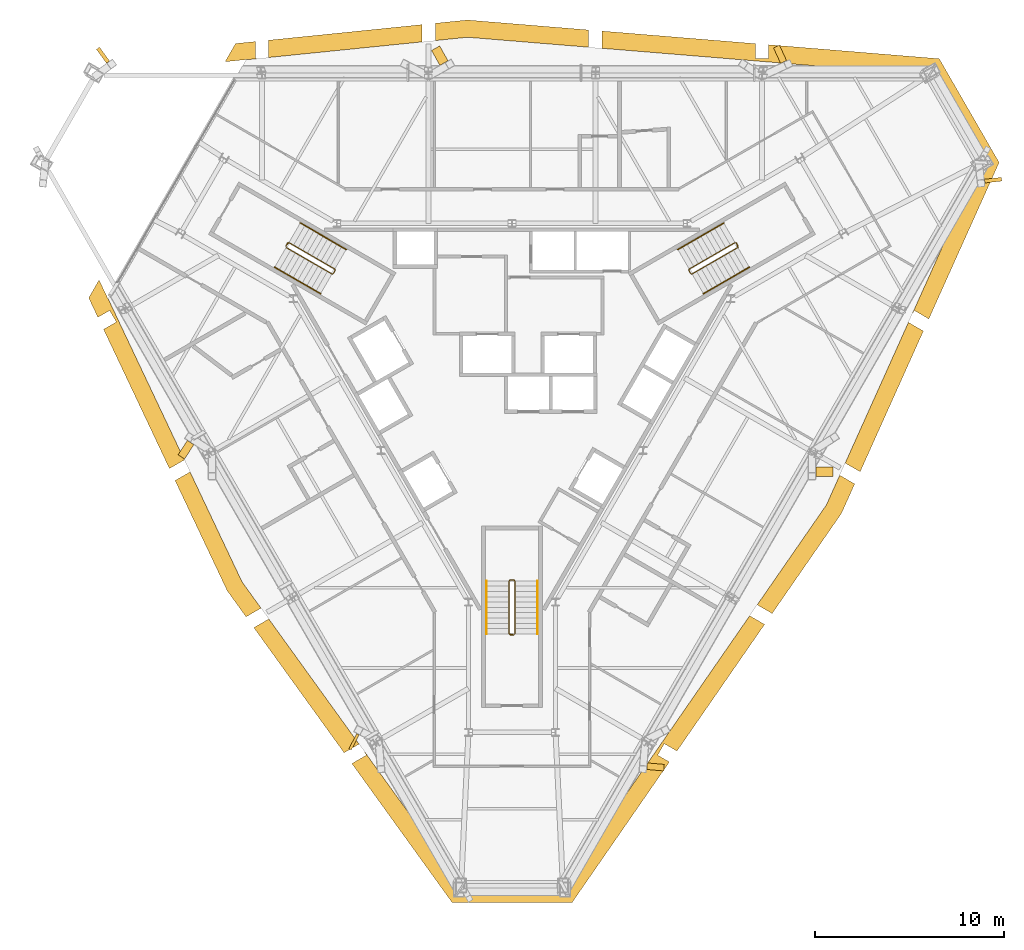
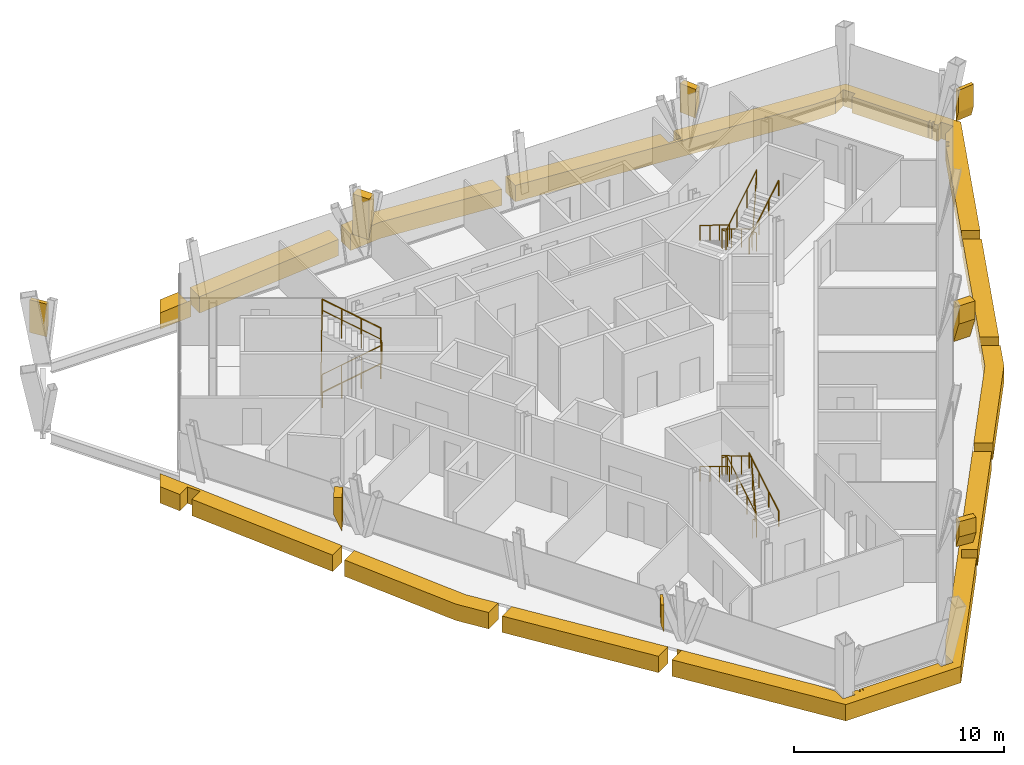
# One storey, part 11 of 11: 18 coverings, 9 railings.
"""IFC4 building model written with IfcOpenShell, lengths in metres."""

from ifc_helpers import new_model, si_unit, direction, frame, origin, origin_2d, place, context, subcontext, project, spatial, polyline, circle, outline, extrude, material, layer, layer_set, type_object, element, save


model = new_model("IFC4")

# Units and contexts
model_context = context("Model", 3, precision=1e-05, world=origin(), true_north=direction((0.0, 1.0)))
body_context = subcontext(model_context, "Body", "Model", "MODEL_VIEW")
ifc_project = project(units=[si_unit("LENGTHUNIT", "METRE"), si_unit("AREAUNIT", "SQUARE_METRE"), si_unit("VOLUMEUNIT", "CUBIC_METRE"), si_unit("PLANEANGLEUNIT", "RADIAN"), si_unit("MASSUNIT", "GRAM", prefix="KILO")], contexts=[model_context])

# Site, building, storey
site_placement = place(None, origin())
site = spatial("IfcSite", under=ifc_project, at=site_placement, CompositionType="ELEMENT")
building_placement = place(site_placement, origin())
building = spatial("IfcBuilding", under=site, at=building_placement, Name="Verrane Prism Tower", CompositionType="ELEMENT")
storey_placement = place(building_placement, frame((0.0, 0.0, 232.300048828125)))
storey = spatial("IfcBuildingStorey", under=building, at=storey_placement, Name="L58", CompositionType="ELEMENT", Elevation=232.300048828125)

# Railings
ifc_material_1 = material(Name="Steel A36 rail and posts, no infill", Category="steel")
railing_type_1 = type_object("IfcRailingType", Name="Stair guard 1100 steel rail and posts", PredefinedType="GUARDRAIL", material=ifc_material_1)
railing_1_placement = place(storey_placement, frame((11.78955078125, 6.97998046875, 0.168212890625)))
element("IfcRailing", 1, at=railing_1_placement, inside=storey, type_object=railing_type_1, Name="Stair 1 guard", PredefinedType="GUARDRAIL", context=body_context, shape_type="SweptSolid", body=[
    extrude(circle(Radius=0.02392578125, at=origin_2d()), frame((0.0, 0.0, 1.076171875), z_axis=(-0.742395268701, -0.428678701772, 0.514862928999), x_axis=(0.500049511043, -0.865996816683, 0.0)), (0.0, 0.0, 1.0), 3.26611328125),
    extrude(circle(Radius=0.02392578125, at=origin_2d()), frame((-2.4248046875, -1.400146484375, 2.7578125), z_axis=(-0.259601060869, -0.965715946433, 0.0), x_axis=(0.965715946433, -0.259601060869, 0.0)), (0.0, 0.0, 1.0), 0.070556640625),
    extrude(circle(Radius=0.02392578125, at=origin_2d()), frame((-2.443115234375, -1.46826171875, 2.7578125), z_axis=(0.499158860599, -0.866510491504, 0.0), x_axis=(0.866510491504, 0.499158860599, 0.0)), (0.0, 0.0, 1.0), 0.199951171875),
    extrude(circle(Radius=0.02392578125, at=origin_2d()), frame((-2.34326171875, -1.6416015625, 2.7578125), z_axis=(0.374585375571, -0.100335368456, 0.921747584887), x_axis=(0.258736085224, 0.965948051503, 0.0)), (0.0, 0.0, 1.0), 0.182373046875),
    extrude(circle(Radius=0.02392578125, at=origin_2d()), frame((-2.27490234375, -1.659912109375, 2.92578125), z_axis=(0.742366697286, 0.42866220388, 0.514917859203), x_axis=(-0.500049511043, 0.865996816683, 0.0)), (0.0, 0.0, 1.0), 3.266357421875),
    extrude(circle(Radius=0.02392578125, at=origin_2d()), frame((0.14990234375, -0.259765625, 4.60791015625), z_axis=(-0.021986835041, 0.065104730107, -0.997636182785), x_axis=(-0.947430582667, -0.3199613899, 0.0)), (0.0, 0.0, 1.0), 3.708740234375),
    extrude(circle(Radius=0.02392578125, at=origin_2d()), frame((0.068359375, -0.018310546875, 0.90771484375), z_axis=(0.499158860599, -0.866510491504, 0.0), x_axis=(0.866510491504, 0.499158860599, 0.0)), (0.0, 0.0, 1.0), 0.199951171875),
    extrude(circle(Radius=0.02099609375, at=origin_2d()), origin(), (0.0, 0.0, 1.0), 1.052001953125),
    extrude(circle(Radius=0.02099609375, at=origin_2d()), frame((-0.808349609375, -0.466796875, 0.560546875)), (0.0, 0.0, 1.0), 1.052001953125),
    extrude(circle(Radius=0.02099609375, at=origin_2d()), frame((-1.616455078125, -0.933349609375, 1.12109375)), (0.0, 0.0, 1.0), 1.052001953125),
    extrude(circle(Radius=0.02099609375, at=origin_2d()), frame((-2.4248046875, -1.400146484375, 1.681640625)), (0.0, 0.0, 1.0), 1.052001953125),
    extrude(circle(Radius=0.02099609375, at=origin_2d()), frame((-2.443115234375, -1.46826171875, 1.681640625)), (0.0, 0.0, 1.0), 1.052001953125),
    extrude(circle(Radius=0.02099609375, at=origin_2d()), frame((-2.34326171875, -1.6416015625, 1.681640625)), (0.0, 0.0, 1.0), 1.052001953125),
    extrude(circle(Radius=0.02099609375, at=origin_2d()), frame((-2.27490234375, -1.659912109375, 1.849853515625)), (0.0, 0.0, 1.0), 1.052001953125),
    extrude(circle(Radius=0.02099609375, at=origin_2d()), frame((-1.466552734375, -1.193115234375, 2.410400390625)), (0.0, 0.0, 1.0), 1.052001953125),
    extrude(circle(Radius=0.02099609375, at=origin_2d()), frame((-0.658447265625, -0.7265625, 2.97119140625)), (0.0, 0.0, 1.0), 1.052001953125),
    extrude(circle(Radius=0.02099609375, at=origin_2d()), frame((0.14990234375, -0.259765625, 3.53173828125)), (0.0, 0.0, 1.0), 1.052001953125),
    extrude(circle(Radius=0.02099609375, at=origin_2d()), frame((0.12939453125, -0.199462890625, 2.606689453125)), (0.0, 0.0, 1.0), 1.052001953125),
    extrude(circle(Radius=0.02099609375, at=origin_2d()), frame((0.109130859375, -0.13916015625, 1.681640625)), (0.0, 0.0, 1.0), 1.052001953125),
    extrude(circle(Radius=0.02099609375, at=origin_2d()), frame((0.0888671875, -0.07861328125, 0.7568359375)), (0.0, 0.0, 1.0), 1.052001953125),
    extrude(circle(Radius=0.02099609375, at=origin_2d()), frame((0.068359375, -0.018310546875, -0.168212890625)), (0.0, 0.0, 1.0), 1.052001953125),
    extrude(circle(Radius=0.02099609375, at=origin_2d()), frame((0.168212890625, -0.191650390625, -0.168212890625)), (0.0, 0.0, 1.0), 1.052001953125),
])
railing_2_placement = place(storey_placement, frame((-11.939453125, 6.72021484375, 0.168212890625)))
element("IfcRailing", 2, at=railing_2_placement, inside=storey, type_object=railing_type_1, Name="Stair 2 guard", PredefinedType="GUARDRAIL", context=body_context, shape_type="SweptSolid", body=[
    extrude(circle(Radius=0.02392578125, at=origin_2d()), frame((0.0, 0.0, 1.076171875), z_axis=(0.742395268701, -0.428678701772, 0.514862928999), x_axis=(0.500049511043, 0.865996816683, 0.0)), (0.0, 0.0, 1.0), 3.26611328125),
    extrude(circle(Radius=0.02392578125, at=origin_2d()), frame((2.4248046875, -1.400146484375, 2.7578125), z_axis=(0.965948051503, 0.258736085224, 0.0), x_axis=(-0.258736085224, 0.965948051503, 0.0)), (0.0, 0.0, 1.0), 0.07080078125),
    extrude(circle(Radius=0.02392578125, at=origin_2d()), frame((2.4931640625, -1.3818359375, 2.7578125), z_axis=(0.499158860599, 0.866510491504, 0.0), x_axis=(-0.866510491504, 0.499158860599, 0.0)), (0.0, 0.0, 1.0), 0.199951171875),
    extrude(circle(Radius=0.02392578125, at=origin_2d()), frame((2.593017578125, -1.20849609375, 2.7578125), z_axis=(-0.100385596638, 0.373434419493, 0.922209014446), x_axis=(-0.965715946433, -0.259601060869, 0.0)), (0.0, 0.0, 1.0), 0.182373046875),
    extrude(circle(Radius=0.02392578125, at=origin_2d()), frame((2.57470703125, -1.140380859375, 2.92578125), z_axis=(-0.742366697286, 0.42866220388, 0.514917859203), x_axis=(-0.500049511043, -0.865996816683, 0.0)), (0.0, 0.0, 1.0), 3.266357421875),
    extrude(circle(Radius=0.02392578125, at=origin_2d()), frame((0.14990234375, 0.259765625, 4.60791015625), z_axis=(-0.04535595117, -0.051675503147, -0.99763343973), x_axis=(0.751567565678, -0.659656118156, 0.0)), (0.0, 0.0, 1.0), 3.708740234375),
    extrude(circle(Radius=0.02392578125, at=origin_2d()), frame((-0.018310546875, 0.068115234375, 0.90771484375), z_axis=(0.499158860599, 0.866510491504, 0.0), x_axis=(-0.866510491504, 0.499158860599, 0.0)), (0.0, 0.0, 1.0), 0.199951171875),
    extrude(circle(Radius=0.02099609375, at=origin_2d()), origin(), (0.0, 0.0, 1.0), 1.052001953125),
    extrude(circle(Radius=0.02099609375, at=origin_2d()), frame((0.808349609375, -0.466796875, 0.560546875)), (0.0, 0.0, 1.0), 1.052001953125),
    extrude(circle(Radius=0.02099609375, at=origin_2d()), frame((1.616455078125, -0.933349609375, 1.12109375)), (0.0, 0.0, 1.0), 1.052001953125),
    extrude(circle(Radius=0.02099609375, at=origin_2d()), frame((2.4248046875, -1.400146484375, 1.681640625)), (0.0, 0.0, 1.0), 1.052001953125),
    extrude(circle(Radius=0.02099609375, at=origin_2d()), frame((2.4931640625, -1.3818359375, 1.681640625)), (0.0, 0.0, 1.0), 1.052001953125),
    extrude(circle(Radius=0.02099609375, at=origin_2d()), frame((2.593017578125, -1.20849609375, 1.681640625)), (0.0, 0.0, 1.0), 1.052001953125),
    extrude(circle(Radius=0.02099609375, at=origin_2d()), frame((2.57470703125, -1.140380859375, 1.849853515625)), (0.0, 0.0, 1.0), 1.052001953125),
    extrude(circle(Radius=0.02099609375, at=origin_2d()), frame((1.766357421875, -0.673583984375, 2.410400390625)), (0.0, 0.0, 1.0), 1.052001953125),
    extrude(circle(Radius=0.02099609375, at=origin_2d()), frame((0.958251953125, -0.20703125, 2.97119140625)), (0.0, 0.0, 1.0), 1.052001953125),
    extrude(circle(Radius=0.02099609375, at=origin_2d()), frame((0.14990234375, 0.259765625, 3.53173828125)), (0.0, 0.0, 1.0), 1.052001953125),
    extrude(circle(Radius=0.02099609375, at=origin_2d()), frame((0.10791015625, 0.2119140625, 2.606689453125)), (0.0, 0.0, 1.0), 1.052001953125),
    extrude(circle(Radius=0.02099609375, at=origin_2d()), frame((0.06591796875, 0.1640625, 1.681640625)), (0.0, 0.0, 1.0), 1.052001953125),
    extrude(circle(Radius=0.02099609375, at=origin_2d()), frame((0.023681640625, 0.115966796875, 0.7568359375)), (0.0, 0.0, 1.0), 1.052001953125),
    extrude(circle(Radius=0.02099609375, at=origin_2d()), frame((-0.018310546875, 0.068115234375, -0.168212890625)), (0.0, 0.0, 1.0), 1.052001953125),
    extrude(circle(Radius=0.02099609375, at=origin_2d()), frame((0.08154296875, 0.241455078125, -0.168212890625)), (0.0, 0.0, 1.0), 1.052001953125),
])
railing_3_placement = place(storey_placement, frame((0.14990234375, -13.699951171875, 0.168212890625)))
element("IfcRailing", 3, at=railing_3_placement, inside=storey, type_object=railing_type_1, Name="Stair 3 guard", PredefinedType="GUARDRAIL", context=body_context, shape_type="SweptSolid", body=[
    extrude(circle(Radius=0.02392578125, at=origin_2d()), frame((0.0, 0.0, 1.076171875), z_axis=(0.0, 0.857275202839, 0.514858452973), x_axis=(-1.0, 0.0, 0.0)), (0.0, 0.0, 1.0), 3.26611328125),
    extrude(circle(Radius=0.02392578125, at=origin_2d()), frame((0.0, 2.800048828125, 2.7578125), z_axis=(-0.707106781187, 0.707106781187, 0.0), x_axis=(-0.707106781187, -0.707106781187, 0.0)), (0.0, 0.0, 1.0), 0.0703125),
    extrude(circle(Radius=0.02392578125, at=origin_2d()), frame((-0.0498046875, 2.849853515625, 2.7578125), z_axis=(-1.0, 0.0, 0.0), x_axis=(0.0, -1.0, 0.0)), (0.0, 0.0, 1.0), 0.2001953125),
    extrude(circle(Radius=0.02392578125, at=origin_2d()), frame((-0.25, 2.849853515625, 2.7578125), z_axis=(-0.273106073848, -0.273106073848, 0.922402376869), x_axis=(0.707106781187, -0.707106781187, 0.0)), (0.0, 0.0, 1.0), 0.182373046875),
    extrude(circle(Radius=0.02392578125, at=origin_2d()), frame((-0.2998046875, 2.800048828125, 2.92578125), z_axis=(0.0, -0.857242210791, 0.514913383045), x_axis=(1.0, 0.0, 0.0)), (0.0, 0.0, 1.0), 3.266357421875),
    extrude(circle(Radius=0.02392578125, at=origin_2d()), frame((-0.2998046875, 0.0, 4.60791015625), z_axis=(0.067408604812, -0.013494886706, -0.997634185476), x_axis=(0.196300278283, 0.98054382908, 0.0)), (0.0, 0.0, 1.0), 3.708740234375),
    extrude(circle(Radius=0.02392578125, at=origin_2d()), frame((-0.0498046875, -0.050048828125, 0.90771484375), z_axis=(-1.0, 0.0, 0.0), x_axis=(0.0, -1.0, 0.0)), (0.0, 0.0, 1.0), 0.2001953125),
    extrude(circle(Radius=0.02099609375, at=origin_2d()), origin(), (0.0, 0.0, 1.0), 1.052001953125),
    extrude(circle(Radius=0.02099609375, at=origin_2d()), frame((0.0, 0.933349609375, 0.560546875)), (0.0, 0.0, 1.0), 1.052001953125),
    extrude(circle(Radius=0.02099609375, at=origin_2d()), frame((0.0, 1.86669921875, 1.12109375)), (0.0, 0.0, 1.0), 1.052001953125),
    extrude(circle(Radius=0.02099609375, at=origin_2d()), frame((0.0, 2.800048828125, 1.681640625)), (0.0, 0.0, 1.0), 1.052001953125),
    extrude(circle(Radius=0.02099609375, at=origin_2d()), frame((-0.0498046875, 2.849853515625, 1.681640625)), (0.0, 0.0, 1.0), 1.052001953125),
    extrude(circle(Radius=0.02099609375, at=origin_2d()), frame((-0.25, 2.849853515625, 1.681640625)), (0.0, 0.0, 1.0), 1.052001953125),
    extrude(circle(Radius=0.02099609375, at=origin_2d()), frame((-0.2998046875, 2.800048828125, 1.849853515625)), (0.0, 0.0, 1.0), 1.052001953125),
    extrude(circle(Radius=0.02099609375, at=origin_2d()), frame((-0.2998046875, 1.86669921875, 2.410400390625)), (0.0, 0.0, 1.0), 1.052001953125),
    extrude(circle(Radius=0.02099609375, at=origin_2d()), frame((-0.2998046875, 0.933349609375, 2.97119140625)), (0.0, 0.0, 1.0), 1.052001953125),
    extrude(circle(Radius=0.02099609375, at=origin_2d()), frame((-0.2998046875, 0.0, 3.53173828125)), (0.0, 0.0, 1.0), 1.052001953125),
    extrude(circle(Radius=0.02099609375, at=origin_2d()), frame((-0.2373046875, -0.012451171875, 2.606689453125)), (0.0, 0.0, 1.0), 1.052001953125),
    extrude(circle(Radius=0.02099609375, at=origin_2d()), frame((-0.1748046875, -0.02490234375, 1.681640625)), (0.0, 0.0, 1.0), 1.052001953125),
    extrude(circle(Radius=0.02099609375, at=origin_2d()), frame((-0.1123046875, -0.03759765625, 0.7568359375)), (0.0, 0.0, 1.0), 1.052001953125),
    extrude(circle(Radius=0.02099609375, at=origin_2d()), frame((-0.0498046875, -0.050048828125, -0.168212890625)), (0.0, 0.0, 1.0), 1.052001953125),
    extrude(circle(Radius=0.02099609375, at=origin_2d()), frame((-0.25, -0.050048828125, -0.168212890625)), (0.0, 0.0, 1.0), 1.052001953125),
])
ifc_material_2 = material(Name="Steel A36 tube", Category="steel")
railing_type_2 = type_object("IfcRailingType", Name="Stair handrail 900 steel tube", PredefinedType="HANDRAIL", material=ifc_material_2)
railing_4_placement = place(storey_placement, frame((11.189453125, 8.01904296875, 0.168212890625)))
element("IfcRailing", 4, at=railing_4_placement, inside=storey, type_object=railing_type_2, Name="Stair 1 handrail", PredefinedType="HANDRAIL", context=body_context, shape_type="SweptSolid", body=[
    extrude(circle(Radius=0.02392578125, at=origin_2d()), frame((0.0, 0.0, 0.8759765625), z_axis=(-0.74241905619, -0.428617687091, 0.514879426), x_axis=(0.49998411664, -0.866034573852, 0.0)), (0.0, 0.0, 1.0), 3.26611328125),
    extrude(circle(Radius=0.02099609375, at=origin_2d()), origin(), (0.0, 0.0, 1.0), 0.851806640625),
    extrude(circle(Radius=0.02099609375, at=origin_2d()), frame((-0.808349609375, -0.466552734375, 0.560546875)), (0.0, 0.0, 1.0), 0.851806640625),
    extrude(circle(Radius=0.02099609375, at=origin_2d()), frame((-1.616455078125, -0.933349609375, 1.12109375)), (0.0, 0.0, 1.0), 0.851806640625),
    extrude(circle(Radius=0.02099609375, at=origin_2d()), frame((-2.4248046875, -1.39990234375, 1.681640625)), (0.0, 0.0, 1.0), 0.851806640625),
])
railing_5_placement = place(storey_placement, frame((10.11474609375, 4.28076171875, 2.01806640625)))
element("IfcRailing", 5, at=railing_5_placement, inside=storey, type_object=railing_type_2, Name="Stair 1 handrail", PredefinedType="HANDRAIL", context=body_context, shape_type="SweptSolid", body=[
    extrude(circle(Radius=0.02392578125, at=origin_2d()), frame((0.0, 0.0, 0.8759765625), z_axis=(0.742366697286, 0.42866220388, 0.514917859203), x_axis=(-0.500049511043, 0.865996816683, 0.0)), (0.0, 0.0, 1.0), 3.266357421875),
    extrude(circle(Radius=0.02099609375, at=origin_2d()), origin(), (0.0, 0.0, 1.0), 0.851806640625),
    extrude(circle(Radius=0.02099609375, at=origin_2d()), frame((0.808349609375, 0.466796875, 0.560546875)), (0.0, 0.0, 1.0), 0.851806640625),
    extrude(circle(Radius=0.02099609375, at=origin_2d()), frame((1.616455078125, 0.933349609375, 1.121337890625)), (0.0, 0.0, 1.0), 0.851806640625),
    extrude(circle(Radius=0.02099609375, at=origin_2d()), frame((2.4248046875, 1.400146484375, 1.681884765625)), (0.0, 0.0, 1.0), 0.851806640625),
])
railing_6_placement = place(storey_placement, frame((-12.53955078125, 5.680908203125, 0.168212890625)))
element("IfcRailing", 6, at=railing_6_placement, inside=storey, type_object=railing_type_2, Name="Stair 2 handrail", PredefinedType="HANDRAIL", context=body_context, shape_type="SweptSolid", body=[
    extrude(circle(Radius=0.02392578125, at=origin_2d()), frame((0.0, 0.0, 0.8759765625), z_axis=(0.742395268701, -0.428678701772, 0.514862928999), x_axis=(0.500049511043, 0.865996816683, 0.0)), (0.0, 0.0, 1.0), 3.26611328125),
    extrude(circle(Radius=0.02099609375, at=origin_2d()), origin(), (0.0, 0.0, 1.0), 0.851806640625),
    extrude(circle(Radius=0.02099609375, at=origin_2d()), frame((0.808349609375, -0.466796875, 0.560546875)), (0.0, 0.0, 1.0), 0.851806640625),
    extrude(circle(Radius=0.02099609375, at=origin_2d()), frame((1.616455078125, -0.933349609375, 1.12109375)), (0.0, 0.0, 1.0), 0.851806640625),
    extrude(circle(Radius=0.02099609375, at=origin_2d()), frame((2.4248046875, -1.400146484375, 1.681640625)), (0.0, 0.0, 1.0), 0.851806640625),
])
railing_7_placement = place(storey_placement, frame((-8.7646484375, 6.619140625, 2.01806640625)))
element("IfcRailing", 7, at=railing_7_placement, inside=storey, type_object=railing_type_2, Name="Stair 2 handrail", PredefinedType="HANDRAIL", context=body_context, shape_type="SweptSolid", body=[
    extrude(circle(Radius=0.02392578125, at=origin_2d()), frame((0.0, 0.0, 0.8759765625), z_axis=(-0.742390482028, 0.42860119049, 0.514934356695), x_axis=(-0.49998411664, -0.866034573852, 0.0)), (0.0, 0.0, 1.0), 3.26611328125),
    extrude(circle(Radius=0.02099609375, at=origin_2d()), origin(), (0.0, 0.0, 1.0), 0.851806640625),
    extrude(circle(Radius=0.02099609375, at=origin_2d()), frame((-0.808349609375, 0.466552734375, 0.560546875)), (0.0, 0.0, 1.0), 0.851806640625),
    extrude(circle(Radius=0.02099609375, at=origin_2d()), frame((-1.616455078125, 0.933349609375, 1.121337890625)), (0.0, 0.0, 1.0), 0.851806640625),
    extrude(circle(Radius=0.02099609375, at=origin_2d()), frame((-2.4248046875, 1.39990234375, 1.681884765625)), (0.0, 0.0, 1.0), 0.851806640625),
])
railing_8_placement = place(storey_placement, frame((1.35009765625, -13.699951171875, 0.168212890625)))
element("IfcRailing", 8, at=railing_8_placement, inside=storey, type_object=railing_type_2, Name="Stair 3 handrail", PredefinedType="HANDRAIL", context=body_context, shape_type="SweptSolid", body=[
    extrude(circle(Radius=0.02392578125, at=origin_2d()), frame((0.0, 0.0, 0.8759765625), z_axis=(0.0, 0.857275202839, 0.514858452973), x_axis=(-1.0, 0.0, 0.0)), (0.0, 0.0, 1.0), 3.26611328125),
    extrude(circle(Radius=0.02099609375, at=origin_2d()), origin(), (0.0, 0.0, 1.0), 0.851806640625),
    extrude(circle(Radius=0.02099609375, at=origin_2d()), frame((0.0, 0.933349609375, 0.560546875)), (0.0, 0.0, 1.0), 0.851806640625),
    extrude(circle(Radius=0.02099609375, at=origin_2d()), frame((0.0, 1.86669921875, 1.12109375)), (0.0, 0.0, 1.0), 0.851806640625),
    extrude(circle(Radius=0.02099609375, at=origin_2d()), frame((0.0, 2.800048828125, 1.681640625)), (0.0, 0.0, 1.0), 0.851806640625),
])
railing_9_placement = place(storey_placement, frame((-1.35009765625, -10.89990234375, 2.01806640625)))
element("IfcRailing", 9, at=railing_9_placement, inside=storey, type_object=railing_type_2, Name="Stair 3 handrail", PredefinedType="HANDRAIL", context=body_context, shape_type="SweptSolid", body=[
    extrude(circle(Radius=0.02392578125, at=origin_2d()), frame((0.0, 0.0, 0.8759765625), z_axis=(0.0, -0.857242210791, 0.514913383045), x_axis=(1.0, 0.0, 0.0)), (0.0, 0.0, 1.0), 3.266357421875),
    extrude(circle(Radius=0.02099609375, at=origin_2d()), origin(), (0.0, 0.0, 1.0), 0.851806640625),
    extrude(circle(Radius=0.02099609375, at=origin_2d()), frame((0.0, -0.933349609375, 0.560546875)), (0.0, 0.0, 1.0), 0.851806640625),
    extrude(circle(Radius=0.02099609375, at=origin_2d()), frame((0.0, -1.86669921875, 1.121337890625)), (0.0, 0.0, 1.0), 0.851806640625),
    extrude(circle(Radius=0.02099609375, at=origin_2d()), frame((0.0, -2.800048828125, 1.681884765625)), (0.0, 0.0, 1.0), 0.851806640625),
])

# Coverings
ifc_material_3 = material(Name="Warm limestone cladding", Category="masonry")
ifc_layer_1 = layer(ifc_material_3, 0.89990234375)
ifc_layer_set_1 = layer_set([ifc_layer_1], Name="Stone brace fin 900")
covering_type_1 = type_object("IfcCoveringType", Name="Stone brace fin 900", PredefinedType="CLADDING", material=ifc_layer_set_1)
covering_1_placement = place(storey_placement, frame((14.007568359375, 16.86083984375, 1.0751953125), z_axis=(0.0, 0.0, 1.0), x_axis=(0.906864958207, 0.421421342099, 0.0)))
element("IfcCovering", 10, at=covering_1_placement, inside=storey, type_object=covering_type_1, Name="Stone brace fin N1 L58", PredefinedType="CLADDING", context=body_context, shape_type="SweptSolid", body=[
    extrude(outline(polyline([(0.346923828125, 1.6748046875), (0.0, 1.6748046875), (0.0, 0.0), (0.346923828125, 0.787841796875), (0.346923828125, 1.6748046875)])), frame((0.0, 0.449951171875, 0.0), z_axis=(0.0, -1.0, 0.0), x_axis=(1.0, 0.0, 0.0)), (0.0, 0.0, 1.0), 0.89990234375),
])
covering_2_placement = place(storey_placement, frame((-4.0322265625, 16.739501953125, 0.389404296875), z_axis=(0.0, 0.0, 1.0), x_axis=(0.870332754468, 0.492464106813, 0.0)))
element("IfcCovering", 11, at=covering_2_placement, inside=storey, type_object=covering_type_1, Name="Stone brace fin N3 L58", PredefinedType="CLADDING", context=body_context, shape_type="SweptSolid", body=[
    extrude(outline(polyline([(0.494384765625, 2.360595703125), (0.0, 2.360595703125), (0.0, 0.0), (0.494384765625, 1.31298828125), (0.494384765625, 2.360595703125)])), frame((0.0, 0.449951171875, 0.0), z_axis=(0.0, -1.0, 0.0), x_axis=(1.0, 0.0, 0.0)), (0.0, 0.0, 1.0), 0.89990234375),
])
covering_3_placement = place(storey_placement, frame((-21.695556640625, 16.825927734375, 0.85302734375), z_axis=(0.0, 0.0, 1.0), x_axis=(0.80847034163, 0.588536920427, 0.0)))
element("IfcCovering", 12, at=covering_3_placement, inside=storey, type_object=covering_type_1, Name="Stone brace fin N5 L58", PredefinedType="CLADDING", context=body_context, shape_type="SweptSolid", body=[
    extrude(outline(polyline([(0.19873046875, 1.89697265625), (0.0, 1.89697265625), (0.0, 0.0), (0.19873046875, 0.63037109375), (0.19873046875, 1.89697265625)])), frame((0.0, 0.449951171875, 0.0), z_axis=(0.0, -1.0, 0.0), x_axis=(1.0, 0.0, 0.0)), (0.0, 0.0, 1.0), 0.89990234375),
])
covering_4_placement = place(storey_placement, frame((-17.058349609375, -4.07666015625, 0.79296875), z_axis=(0.0, 0.0, 1.0), x_axis=(-0.839698501214, 0.543052876854, 0.0)))
element("IfcCovering", 13, at=covering_4_placement, inside=storey, type_object=covering_type_1, Name="Stone brace fin SW2 L58", PredefinedType="CLADDING", context=body_context, shape_type="SweptSolid", body=[
    extrude(outline(polyline([(0.408203125, 1.95703125), (0.0, 1.95703125), (0.0, 0.0), (0.408203125, 0.997802734375), (0.408203125, 1.95703125)])), frame((0.0, 0.449951171875, 0.0), z_axis=(0.0, -1.0, 0.0), x_axis=(1.0, 0.0, 0.0)), (0.0, 0.0, 1.0), 0.89990234375),
])
covering_5_placement = place(storey_placement, frame((-8.281982421875, -19.431396484375, 1.18212890625), z_axis=(0.0, 0.0, 1.0), x_axis=(-0.888642741204, 0.458600129204, 0.0)))
element("IfcCovering", 14, at=covering_5_placement, inside=storey, type_object=covering_type_1, Name="Stone brace fin SW4 L58", PredefinedType="CLADDING", context=body_context, shape_type="SweptSolid", body=[
    extrude(outline(polyline([(0.145263671875, 1.56787109375), (0.0, 1.56787109375), (0.0, 0.0), (0.145263671875, 0.420166015625), (0.145263671875, 1.56787109375)])), frame((0.0, 0.449951171875, 0.0), z_axis=(0.0, -1.0, 0.0), x_axis=(1.0, 0.0, 0.0)), (0.0, 0.0, 1.0), 0.89990234375),
])
covering_6_placement = place(storey_placement, frame((7.60107421875, -20.5576171875, 1.076416015625), z_axis=(0.0, 0.0, 1.0), x_axis=(-0.087114660187, -0.996198291496, 0.0)))
element("IfcCovering", 15, at=covering_6_placement, inside=storey, type_object=covering_type_1, Name="Stone brace fin SE1 L58", PredefinedType="CLADDING", context=body_context, shape_type="SweptSolid", body=[
    extrude(outline(polyline([(0.347412109375, 1.673583984375), (0.0, 1.673583984375), (0.0, 0.0), (0.347412109375, 0.787841796875), (0.347412109375, 1.673583984375)])), frame((0.0, 0.449951171875, 0.0), z_axis=(0.0, -1.0, 0.0), x_axis=(1.0, 0.0, 0.0)), (0.0, 0.0, 1.0), 0.89990234375),
])
covering_7_placement = place(storey_placement, frame((16.5107421875, -4.879150390625, 0.38818359375), z_axis=(0.0, 0.0, 1.0), x_axis=(-0.005931680123, -0.999982407431, 0.0)))
element("IfcCovering", 16, at=covering_7_placement, inside=storey, type_object=covering_type_1, Name="Stone brace fin SE3 L58", PredefinedType="CLADDING", context=body_context, shape_type="SweptSolid", body=[
    extrude(outline(polyline([(0.493896484375, 2.36181640625), (0.0, 2.36181640625), (0.0, 0.0), (0.493896484375, 1.31298828125), (0.493896484375, 2.36181640625)])), frame((0.0, 0.449951171875, 0.0), z_axis=(0.0, -1.0, 0.0), x_axis=(1.0, 0.0, 0.0)), (0.0, 0.0, 1.0), 0.89990234375),
])
covering_8_placement = place(storey_placement, frame((25.41796875, 10.376953125, 0.850341796875), z_axis=(0.0, 0.0, 1.0), x_axis=(0.109486335129, -0.993988300947, 0.0)))
element("IfcCovering", 17, at=covering_8_placement, inside=storey, type_object=covering_type_1, Name="Stone brace fin SE5 L58", PredefinedType="CLADDING", context=body_context, shape_type="SweptSolid", body=[
    extrude(outline(polyline([(0.198486328125, 1.899658203125), (0.0, 1.899658203125), (0.0, 0.0), (0.198486328125, 0.63037109375), (0.198486328125, 1.899658203125)])), frame((0.0, 0.449951171875, 0.0), z_axis=(0.0, -1.0, 0.0), x_axis=(1.0, 0.0, 0.0)), (0.0, 0.0, 1.0), 0.89990234375),
])
ifc_material_4 = material(Name="Warm limestone cladding", Category="masonry")
ifc_layer_2 = layer(ifc_material_4, 0.449951171875)
ifc_layer_set_2 = layer_set([ifc_layer_2], Name="Stone spandrel band 450")
covering_type_2 = type_object("IfcCoveringType", Name="Stone spandrel band 450", PredefinedType="CLADDING", material=ifc_layer_set_2)
covering_9_placement = place(storey_placement, frame((0.0, 0.0, -0.949951171875)))
element("IfcCovering", 18, at=covering_9_placement, inside=storey, type_object=covering_type_2, Name="Stone spandrel band L58 part 1", PredefinedType="CLADDING", context=body_context, shape_type="SweptSolid", body=[
    extrude(outline(polyline([(13.34912109375, -13.198486328125), (12.55859375, -12.741943359375), (3.623291015625, -25.651123046875), (3.02001953125, -26.69580078125), (3.02001953125, -27.419921875), (2.360107421875, -27.419921875), (2.360107421875, -27.12548828125), (-1.815185546875, -27.12548828125), (-1.815185546875, -27.2900390625), (-1.860107421875, -27.2900390625), (-1.860107421875, -27.12548828125), (-1.98291015625, -27.12548828125), (-1.98291015625, -27.2900390625), (-2.05419921875, -27.2900390625), (-2.05419921875, -27.12548828125), (-2.360107421875, -27.12548828125), (-2.360107421875, -27.419921875), (-3.02001953125, -27.419921875), (-3.02001953125, -26.69580078125), (-3.466552734375, -25.922607421875), (-7.803955078125, -19.9091796875), (-7.810302734375, -19.9130859375), (-7.697021484375, -20.109619140625), (-8.46240234375, -20.551513671875), (-3.160400390625, -27.90185546875), (3.171630859375, -27.90185546875), (8.3173828125, -20.468017578125), (7.697021484375, -20.109619140625), (8.046875, -19.50341796875), (8.717041015625, -19.890380859375), (13.34912109375, -13.198486328125)])), origin(), (0.0, 0.0, 1.0), 0.949951171875),
])
covering_10_placement = place(storey_placement, frame((0.0, 0.0, -0.949951171875)))
element("IfcCovering", 19, at=covering_10_placement, inside=storey, type_object=covering_type_2, Name="Stone spandrel band L58 part 2", PredefinedType="CLADDING", context=body_context, shape_type="SweptSolid", body=[
    extrude(outline(polyline([(25.744140625, 11.2138671875), (22.577880859375, 16.69775390625), (13.56689453125, 17.43701171875), (13.56689453125, 16.71630859375), (12.866943359375, 16.71630859375), (12.866943359375, 17.494384765625), (4.755615234375, 18.159912109375), (4.755615234375, 17.2470703125), (20.403076171875, 15.96337890625), (21.60107421875, 15.96337890625), (22.2373046875, 16.330810546875), (22.5673828125, 15.75927734375), (22.309326171875, 15.610107421875), (24.40087890625, 11.987548828125), (24.54248046875, 12.069091796875), (24.56494140625, 12.0302734375), (24.42333984375, 11.948486328125), (24.48486328125, 11.842041015625), (24.626220703125, 11.923583984375), (24.661865234375, 11.86181640625), (24.5205078125, 11.7802734375), (24.673828125, 11.514404296875), (24.927490234375, 11.660888671875), (25.25732421875, 11.089111328125), (24.909912109375, 10.888427734375), (24.881103515625, 10.8388671875), (24.852294921875, 10.85546875), (24.624267578125, 10.7236328125), (24.3046875, 10.170166015625), (24.447998046875, 10.087646484375), (24.39404296875, 9.994384765625), (24.250732421875, 10.076904296875), (24.182861328125, 9.958984375), (24.168212890625, 9.9267578125), (24.30859375, 9.845947265625), (24.25244140625, 9.748779296875), (24.1220703125, 9.82421875), (21.16064453125, 3.2333984375), (21.167236328125, 3.22998046875), (21.26025390625, 3.39111328125), (22.029296875, 2.947265625), (25.744140625, 11.2138671875)])), origin(), (0.0, 0.0, 1.0), 0.949951171875),
])
covering_11_placement = place(storey_placement, frame((0.0, 0.0, -0.949951171875)))
element("IfcCovering", 20, at=covering_11_placement, inside=storey, type_object=covering_type_2, Name="Stone spandrel band L58 part 3", PredefinedType="CLADDING", context=body_context, shape_type="SweptSolid", body=[
    extrude(outline(polyline([(-17.314208984375, -4.5048828125), (-21.338623046875, 4.004638671875), (-21.3447265625, 3.994140625), (-21.822998046875, 5.00537109375), (-22.3701171875, 4.0576171875), (-21.884521484375, 3.031005859375), (-21.26025390625, 3.39111328125), (-20.910400390625, 2.784912109375), (-21.584228515625, 2.39599609375), (-18.104736328125, -4.96142578125), (-17.314208984375, -4.5048828125)])), origin(), (0.0, 0.0, 1.0), 0.949951171875),
])
covering_12_placement = place(storey_placement, frame((0.0, 0.0, -0.949951171875)))
element("IfcCovering", 21, at=covering_12_placement, inside=storey, type_object=covering_type_2, Name="Stone spandrel band L58 part 4", PredefinedType="CLADDING", context=body_context, shape_type="SweptSolid", body=[
    extrude(outline(polyline([(-14.05517578125, -12.7978515625), (-13.26318359375, -12.340576171875), (-14.266357421875, -10.949951171875), (-17.013916015625, -5.139892578125), (-17.804443359375, -5.596435546875), (-15.052978515625, -11.414306640625), (-14.05517578125, -12.7978515625)])), origin(), (0.0, 0.0, 1.0), 0.949951171875),
])
covering_13_placement = place(storey_placement, frame((0.0, 0.0, -0.949951171875)))
element("IfcCovering", 22, at=covering_13_placement, inside=storey, type_object=covering_type_2, Name="Stone spandrel band L58 part 5", PredefinedType="CLADDING", context=body_context, shape_type="SweptSolid", body=[
    extrude(outline(polyline([(-8.8740234375, -19.98095703125), (-8.08203125, -19.523681640625), (-12.851806640625, -12.9111328125), (-13.6435546875, -13.368408203125), (-8.8740234375, -19.98095703125)])), origin(), (0.0, 0.0, 1.0), 0.949951171875),
])
covering_14_placement = place(storey_placement, frame((0.0, 0.0, -0.949951171875)))
element("IfcCovering", 23, at=covering_14_placement, inside=storey, type_object=covering_type_2, Name="Stone spandrel band L58 part 6", PredefinedType="CLADDING", context=body_context, shape_type="SweptSolid", body=[
    extrude(outline(polyline([(18.11083984375, -5.773193359375), (17.31884765625, -5.31591796875), (16.6162109375, -6.880126953125), (12.958251953125, -12.16455078125), (13.748779296875, -12.62109375), (17.41162109375, -7.3291015625), (18.11083984375, -5.773193359375)])), origin(), (0.0, 0.0, 1.0), 0.949951171875),
])
covering_15_placement = place(storey_placement, frame((0.0, 0.0, -0.949951171875)))
element("IfcCovering", 24, at=covering_15_placement, inside=storey, type_object=covering_type_2, Name="Stone spandrel band L58 part 7", PredefinedType="CLADDING", context=body_context, shape_type="SweptSolid", body=[
    extrude(outline(polyline([(20.94921875, 2.7626953125), (17.607421875, -4.67431640625), (18.3994140625, -5.131591796875), (21.740966796875, 2.305419921875), (20.94921875, 2.7626953125)])), origin(), (0.0, 0.0, 1.0), 0.949951171875),
])
covering_16_placement = place(storey_placement, frame((0.0, 0.0, -0.949951171875)))
element("IfcCovering", 25, at=covering_16_placement, inside=storey, type_object=covering_type_2, Name="Stone spandrel band L58 part 8", PredefinedType="CLADDING", context=body_context, shape_type="SweptSolid", body=[
    extrude(outline(polyline([(4.0556640625, 17.304443359375), (4.0556640625, 18.21728515625), (-2.358642578125, 18.74365234375), (-4.0556640625, 18.571044921875), (-4.0556640625, 17.656494140625), (-2.349609375, 17.830078125), (4.0556640625, 17.304443359375)])), origin(), (0.0, 0.0, 1.0), 0.949951171875),
])
covering_17_placement = place(storey_placement, frame((0.0, 0.0, -0.949951171875)))
element("IfcCovering", 26, at=covering_17_placement, inside=storey, type_object=covering_type_2, Name="Stone spandrel band L58 part 9", PredefinedType="CLADDING", context=body_context, shape_type="SweptSolid", body=[
    extrude(outline(polyline([(-4.755615234375, 17.58544921875), (-4.755615234375, 18.5), (-12.866943359375, 17.675537109375), (-12.866943359375, 16.760986328125), (-4.755615234375, 17.58544921875)])), origin(), (0.0, 0.0, 1.0), 0.949951171875),
])
covering_18_placement = place(storey_placement, frame((0.0, 0.0, -0.949951171875)))
element("IfcCovering", 27, at=covering_18_placement, inside=storey, type_object=covering_type_2, Name="Stone spandrel band L58 part 10", PredefinedType="CLADDING", context=body_context, shape_type="SweptSolid", body=[
    extrude(outline(polyline([(-13.382568359375, 16.708740234375), (-13.383056640625, 16.71630859375), (-13.56689453125, 16.71630859375), (-13.56689453125, 17.6044921875), (-14.610107421875, 17.49853515625), (-15.164794921875, 16.53759765625), (-14.03662109375, 16.65234375), (-14.04248046875, 16.6416015625), (-13.382568359375, 16.708740234375)])), origin(), (0.0, 0.0, 1.0), 0.949951171875),
])

save(model, "model.ifc")
